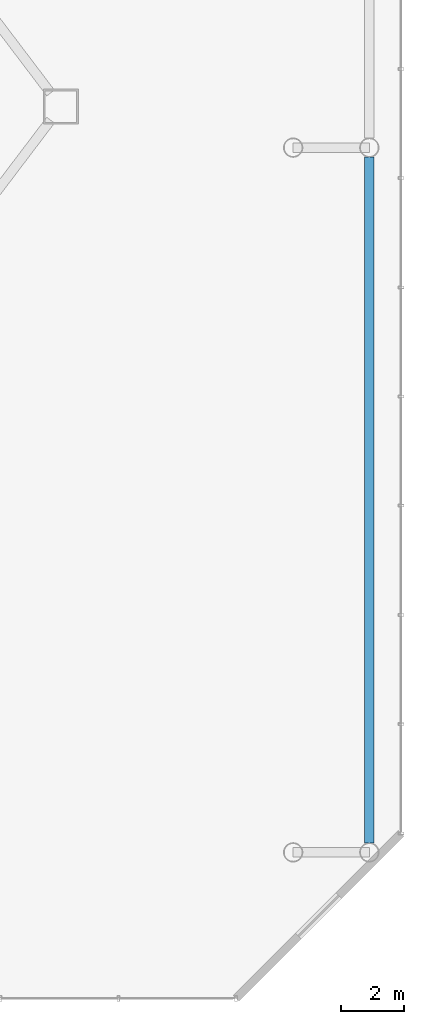
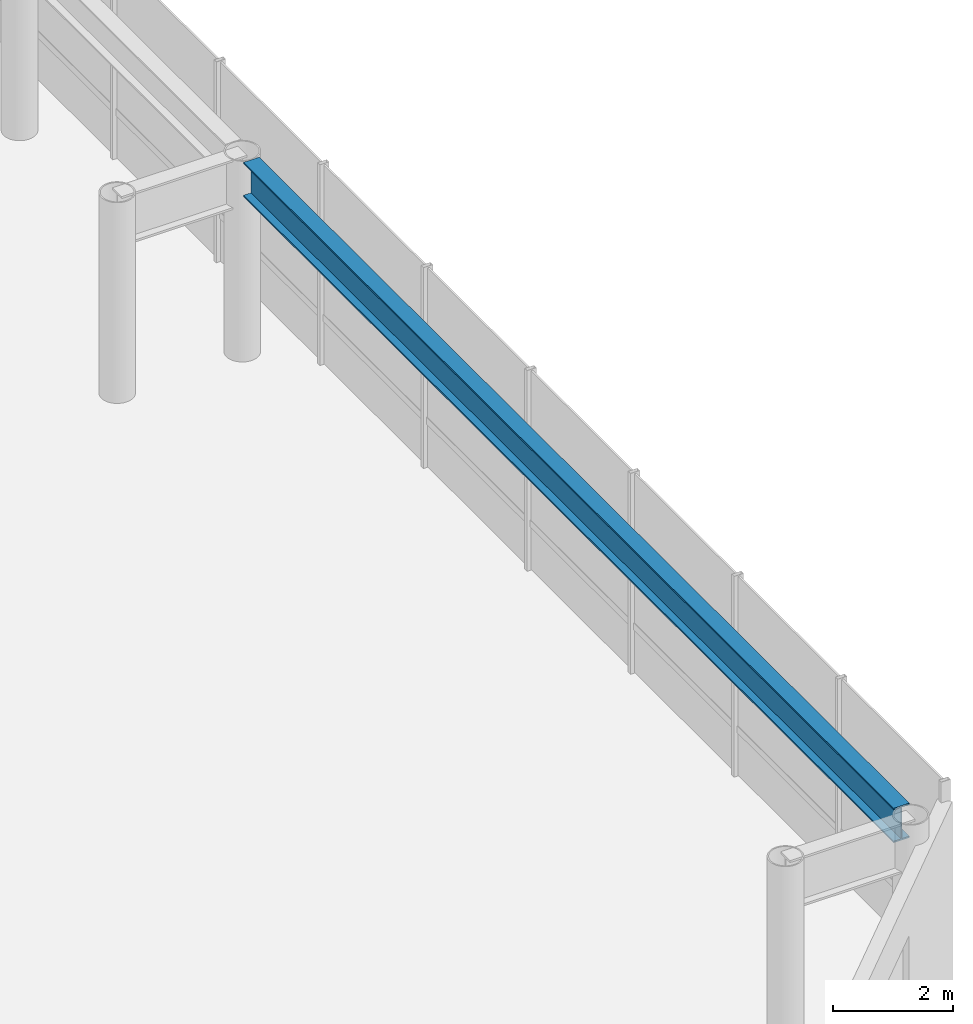
# One storey, part 24 of 33: 1 beam.
"""IFC4 building model written with IfcOpenShell, lengths in metres."""

from ifc_helpers import new_model, si_unit, direction, frame, origin, origin_2d, place, context, subcontext, project, spatial, i_section, extrude, material, material_profile, profile_set, type_object, element, save


model = new_model("IFC4")

# Units and contexts
model_context = context("Model", 3, precision=1e-05, world=origin(), true_north=direction((0.0, 1.0)))
body_context = subcontext(model_context, "Body", "Model", "MODEL_VIEW")
ifc_project = project(units=[si_unit("LENGTHUNIT", "METRE"), si_unit("AREAUNIT", "SQUARE_METRE"), si_unit("VOLUMEUNIT", "CUBIC_METRE"), si_unit("PLANEANGLEUNIT", "RADIAN"), si_unit("MASSUNIT", "GRAM", prefix="KILO")], contexts=[model_context])

# Site, building, storey
site_placement = place(None, origin())
site = spatial("IfcSite", under=ifc_project, at=site_placement, CompositionType="ELEMENT")
building_placement = place(site_placement, origin())
building = spatial("IfcBuilding", under=site, at=building_placement, Name="Zarrinselat Tower", CompositionType="ELEMENT")
storey_placement = place(building_placement, frame((0.0, 0.0, 18.360107421875)))
storey = spatial("IfcBuildingStorey", under=building, at=storey_placement, Name="L04", CompositionType="ELEMENT", Elevation=18.360107421875)

# Beam
ifc_material = material(Name="Steel S355J2", Category="steel")
ifc_material_profile = material_profile(ifc_material, i_section(OverallWidth=0.300048828125, OverallDepth=0.699951171875, WebThickness=0.01708984375, FlangeThickness=0.031982421875, at=origin_2d()), Name="HEB 700")
ifc_profile_set = profile_set([ifc_material_profile], Name="Steel S355J2")
beam_type = type_object("IfcBeamType", Name="BM-HEB700", PredefinedType="SPANDREL", material=ifc_profile_set)
beam_placement = place(storey_placement, frame((70.39990234375, 11.300048828125, 3.719970703125), z_axis=(0.0, 1.0, 0.0), x_axis=(-1.0, 0.0, 0.0)))
element("IfcBeam", 1, at=beam_placement, inside=storey, type_object=beam_type, Name="L04 Podium Perimeter Beam E-11", PredefinedType="SPANDREL", context=body_context, shape_type="SweptSolid", body=[
    extrude(i_section(OverallWidth=0.300048828125, OverallDepth=0.699951171875, WebThickness=0.01708984375, FlangeThickness=0.031982421875, at=origin_2d()), origin(), (0.0, 0.0, 1.0), 21.599853515625),
])

save(model, "model.ifc")
